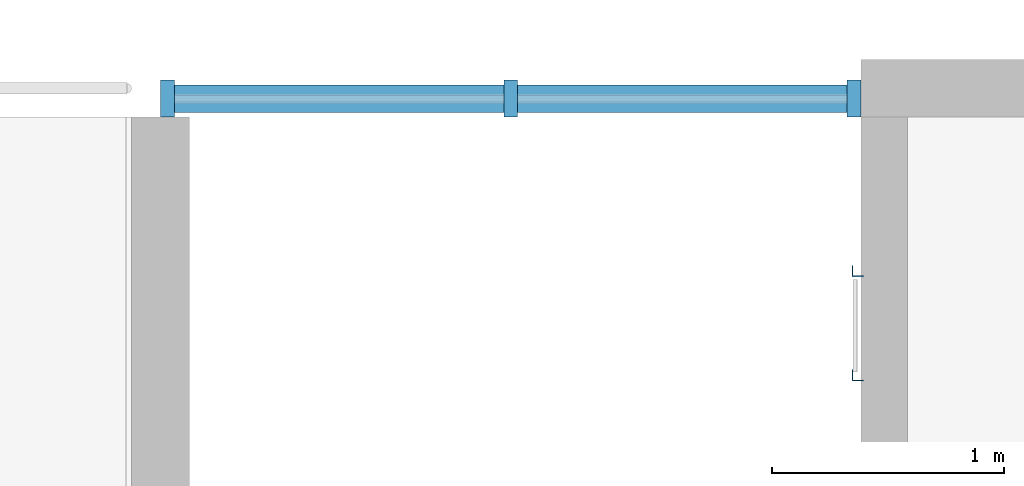
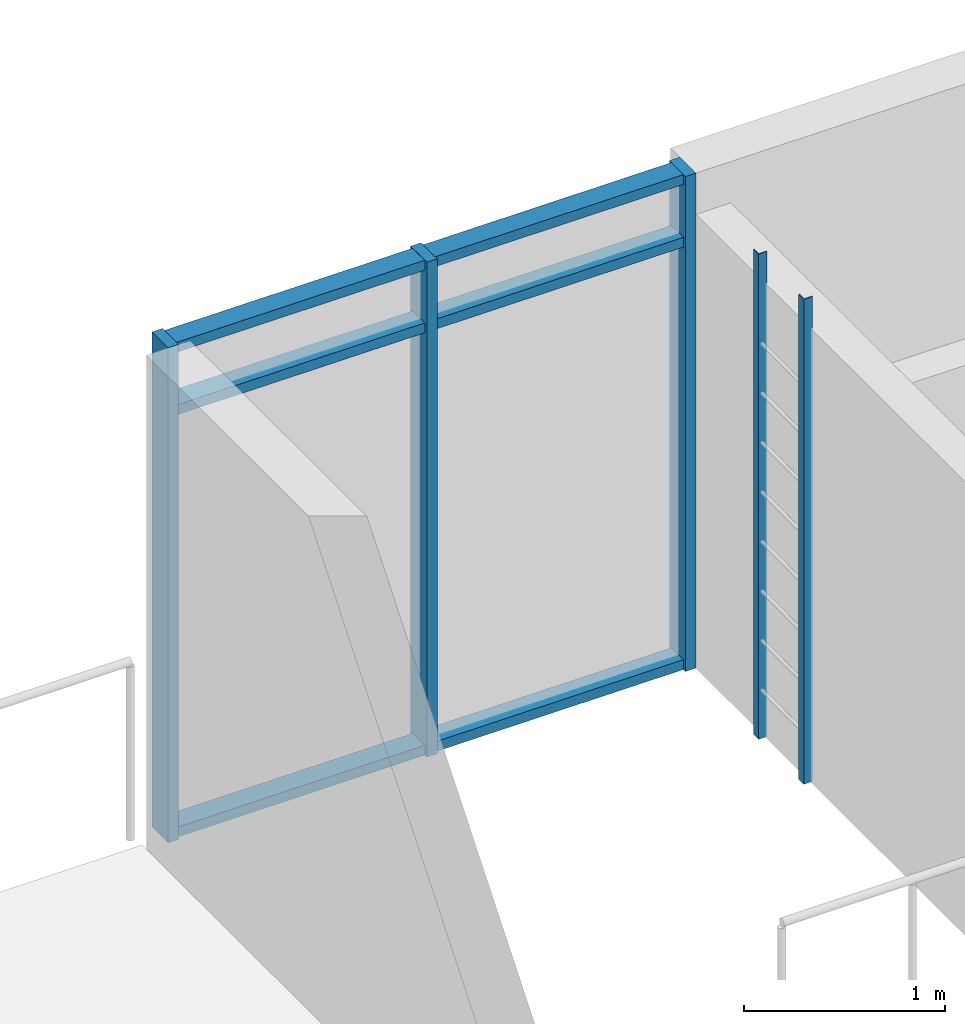
# One storey, part 20 of 78: 11 members, 1 element without a shape of its own.
"""IFC4 building model written with IfcOpenShell, lengths in metres."""

from ifc_helpers import new_model, si_unit, direction, frame, origin, origin_2d, place, context, subcontext, project, spatial, polyline, rectangle, outline, extrude, material, material_profile, profile_set, type_object, element, aggregate, save


model = new_model("IFC4")

# Units and contexts
model_context = context("Model", 3, precision=1e-05, world=origin(), true_north=direction((0.0, 1.0)))
body_context = subcontext(model_context, "Body", "Model", "MODEL_VIEW")
ifc_project = project(units=[si_unit("LENGTHUNIT", "METRE"), si_unit("AREAUNIT", "SQUARE_METRE"), si_unit("VOLUMEUNIT", "CUBIC_METRE"), si_unit("PLANEANGLEUNIT", "RADIAN"), si_unit("MASSUNIT", "GRAM", prefix="KILO")], contexts=[model_context])

# Site, building, storey
site_placement = place(None, origin())
site = spatial("IfcSite", under=ifc_project, at=site_placement, CompositionType="ELEMENT")
building_placement = place(site_placement, origin())
building = spatial("IfcBuilding", under=site, at=building_placement, Name="Ridgestep Commons", CompositionType="ELEMENT")
storey_placement = place(building_placement, frame((0.0, 0.0, 30.0)))
storey = spatial("IfcBuildingStorey", under=building, at=storey_placement, Name="L10", CompositionType="ELEMENT", Elevation=30.0)

# Members
ifc_material_1 = material(Name="Structural steel S355JR", Category="steel")
ifc_material_profile_1 = material_profile(ifc_material_1, outline(polyline([(-0.014404296875, -0.014404296875), (0.03564453125, -0.014404296875), (0.03564453125, -0.00927734375), (-0.00927734375, -0.00927734375), (-0.00927734375, 0.03564453125), (-0.014404296875, 0.03564453125), (-0.014404296875, -0.014404296875)])), Name="EA 50x50x5")
ifc_profile_set_1 = profile_set([ifc_material_profile_1], Name="Structural steel S355JR")
member_type_1 = type_object("IfcMemberType", Name="Core ladder stile EA 50x50x5", PredefinedType="STRINGER", material=ifc_profile_set_1)
for number, where, z_axis, x_axis, name in (
    (1, (160.60009765625, 75.875, 0.0), (0.0, 0.0, 1.0), (1.0, 0.0, 0.0), "Ladder stile C1C.1"),
    (2, (160.60009765625, 76.324951171875, 0.0), (0.0, 0.0, 1.0), (1.0, 0.0, 0.0), "Ladder stile C1C.2"),
):
    element("IfcMember", number, at=place(storey_placement, frame(where, z_axis=z_axis, x_axis=x_axis)), inside=storey, type_object=member_type_1, Name=name, PredefinedType="STRINGER", context=body_context, shape_type="SweptSolid", body=[
        extrude(outline(polyline([(-0.014404296875, -0.014404296875), (0.03564453125, -0.014404296875), (0.03564453125, -0.00927734375), (-0.00927734375, -0.00927734375), (-0.00927734375, 0.03564453125), (-0.014404296875, 0.03564453125), (-0.014404296875, -0.014404296875)])), origin(), (0.0, 0.0, 1.0), 2.93994140625),
    ])

# Curtain wall, members
ifc_material_2 = material(Name="Aluminium 6063-T6 and glass", Category="aluminium")
curtain_wall_type = type_object("IfcCurtainWallType", Name="Curtain wall stair strip", PredefinedType="NOTDEFINED", material=ifc_material_2)
curtain_wall_placement = place(storey_placement, origin())
curtain_wall = element("IfcCurtainWall", 3, at=curtain_wall_placement, inside=storey, type_object=curtain_wall_type, Name="Curtain wall C1C level 10", PredefinedType="NOTDEFINED")
ifc_material_3 = material(Name="Aluminium 6063-T6", Category="aluminium")
ifc_material_profile_2 = material_profile(ifc_material_3, rectangle(XDim=0.159912109375, YDim=0.06005859375, at=origin_2d()), Name="Mullion 60 x 160")
ifc_profile_set_2 = profile_set([ifc_material_profile_2], Name="Aluminium 6063-T6")
member_type_2 = type_object("IfcMemberType", Name="Mullion 60 x 160", PredefinedType="MULLION", material=ifc_profile_set_2)
member_1_placement = place(storey_placement, frame((157.6298828125, 77.080078125, 0.0), z_axis=(0.0, 0.0, 1.0), x_axis=(0.0, 1.0, 0.0)))
member_1 = element("IfcMember", 4, at=member_1_placement, type_object=member_type_2, Name="CW1 mullion 1", PredefinedType="MULLION", context=body_context, shape_type="SweptSolid", body=[
    extrude(rectangle(XDim=0.159912109375, YDim=0.06005859375, at=origin_2d()), origin(), (0.0, 0.0, 1.0), 3.0),
])
member_2_placement = place(storey_placement, frame((159.112548828125, 77.080078125, 0.0), z_axis=(0.0, 0.0, 1.0), x_axis=(0.0, 1.0, 0.0)))
member_2 = element("IfcMember", 5, at=member_2_placement, type_object=member_type_2, Name="CW1 mullion 2", PredefinedType="MULLION", context=body_context, shape_type="SweptSolid", body=[
    extrude(rectangle(XDim=0.159912109375, YDim=0.06005859375, at=origin_2d()), origin(), (0.0, 0.0, 1.0), 3.0),
])
member_3_placement = place(storey_placement, frame((160.594970703125, 77.080078125, 0.0), z_axis=(0.0, 0.0, 1.0), x_axis=(0.0, 1.0, 0.0)))
member_3 = element("IfcMember", 6, at=member_3_placement, type_object=member_type_2, Name="CW1 mullion 3", PredefinedType="MULLION", context=body_context, shape_type="SweptSolid", body=[
    extrude(rectangle(XDim=0.159912109375, YDim=0.06005859375, at=origin_2d()), origin(), (0.0, 0.0, 1.0), 3.0),
])
ifc_material_4 = material(Name="Aluminium 6063-T6", Category="aluminium")
ifc_material_profile_3 = material_profile(ifc_material_4, rectangle(XDim=0.1201171875, YDim=0.06005859375, at=origin_2d()), Name="Transom 60 x 120")
ifc_profile_set_3 = profile_set([ifc_material_profile_3], Name="Aluminium 6063-T6")
member_type_3 = type_object("IfcMemberType", Name="Transom 60 x 120", PredefinedType="USERDEFINED", material=ifc_profile_set_3)
member_4_placement = place(storey_placement, frame((157.659912109375, 77.080078125, 0.030029296875), z_axis=(1.0, 0.0, 0.0), x_axis=(0.0, 1.0, 0.0)))
member_4 = element("IfcMember", 7, at=member_4_placement, type_object=member_type_3, Name="CW1 transom 1.1", ObjectType="TRANSOM", PredefinedType="USERDEFINED", context=body_context, shape_type="SweptSolid", body=[
    extrude(rectangle(XDim=0.1201171875, YDim=0.06005859375, at=origin_2d()), origin(), (0.0, 0.0, 1.0), 1.422607421875),
])
member_5_placement = place(storey_placement, frame((157.659912109375, 77.080078125, 2.590087890625), z_axis=(1.0, 0.0, 0.0), x_axis=(0.0, 1.0, 0.0)))
member_5 = element("IfcMember", 8, at=member_5_placement, type_object=member_type_3, Name="CW1 transom 1.2", ObjectType="TRANSOM", PredefinedType="USERDEFINED", context=body_context, shape_type="SweptSolid", body=[
    extrude(rectangle(XDim=0.1201171875, YDim=0.06005859375, at=origin_2d()), origin(), (0.0, 0.0, 1.0), 1.422607421875),
])
member_6_placement = place(storey_placement, frame((157.659912109375, 77.080078125, 2.969970703125), z_axis=(1.0, 0.0, 0.0), x_axis=(0.0, 1.0, 0.0)))
member_6 = element("IfcMember", 9, at=member_6_placement, type_object=member_type_3, Name="CW1 transom 1.3", ObjectType="TRANSOM", PredefinedType="USERDEFINED", context=body_context, shape_type="SweptSolid", body=[
    extrude(rectangle(XDim=0.1201171875, YDim=0.06005859375, at=origin_2d()), origin(), (0.0, 0.0, 1.0), 1.422607421875),
])
member_7_placement = place(storey_placement, frame((159.142578125, 77.080078125, 0.030029296875), z_axis=(1.0, 0.0, 0.0), x_axis=(0.0, 1.0, 0.0)))
member_7 = element("IfcMember", 10, at=member_7_placement, type_object=member_type_3, Name="CW1 transom 2.1", ObjectType="TRANSOM", PredefinedType="USERDEFINED", context=body_context, shape_type="SweptSolid", body=[
    extrude(rectangle(XDim=0.1201171875, YDim=0.06005859375, at=origin_2d()), origin(), (0.0, 0.0, 1.0), 1.42236328125),
])
member_8_placement = place(storey_placement, frame((159.142578125, 77.080078125, 2.590087890625), z_axis=(1.0, 0.0, 0.0), x_axis=(0.0, 1.0, 0.0)))
member_8 = element("IfcMember", 11, at=member_8_placement, type_object=member_type_3, Name="CW1 transom 2.2", ObjectType="TRANSOM", PredefinedType="USERDEFINED", context=body_context, shape_type="SweptSolid", body=[
    extrude(rectangle(XDim=0.1201171875, YDim=0.06005859375, at=origin_2d()), origin(), (0.0, 0.0, 1.0), 1.42236328125),
])
member_9_placement = place(storey_placement, frame((159.142578125, 77.080078125, 2.969970703125), z_axis=(1.0, 0.0, 0.0), x_axis=(0.0, 1.0, 0.0)))
member_9 = element("IfcMember", 12, at=member_9_placement, type_object=member_type_3, Name="CW1 transom 2.3", ObjectType="TRANSOM", PredefinedType="USERDEFINED", context=body_context, shape_type="SweptSolid", body=[
    extrude(rectangle(XDim=0.1201171875, YDim=0.06005859375, at=origin_2d()), origin(), (0.0, 0.0, 1.0), 1.42236328125),
])
aggregate(curtain_wall, [member_1, member_2, member_3, member_4, member_5, member_6, member_7, member_8, member_9])

save(model, "model.ifc")
